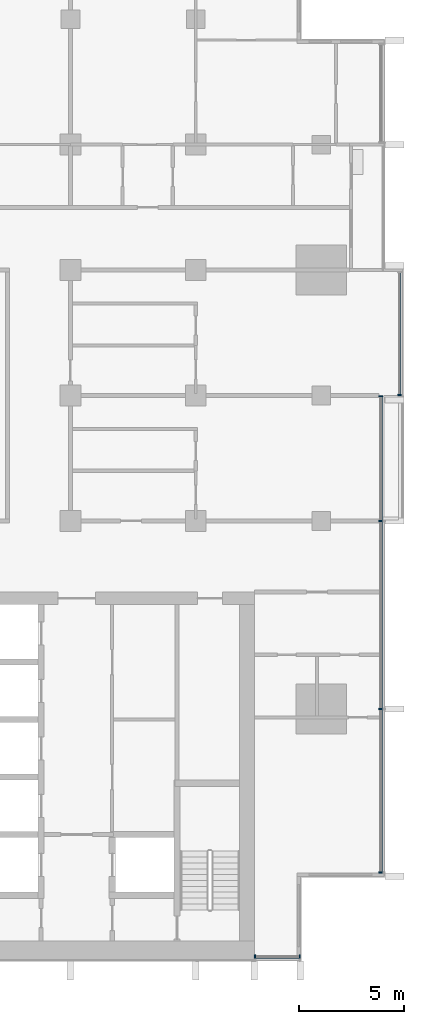
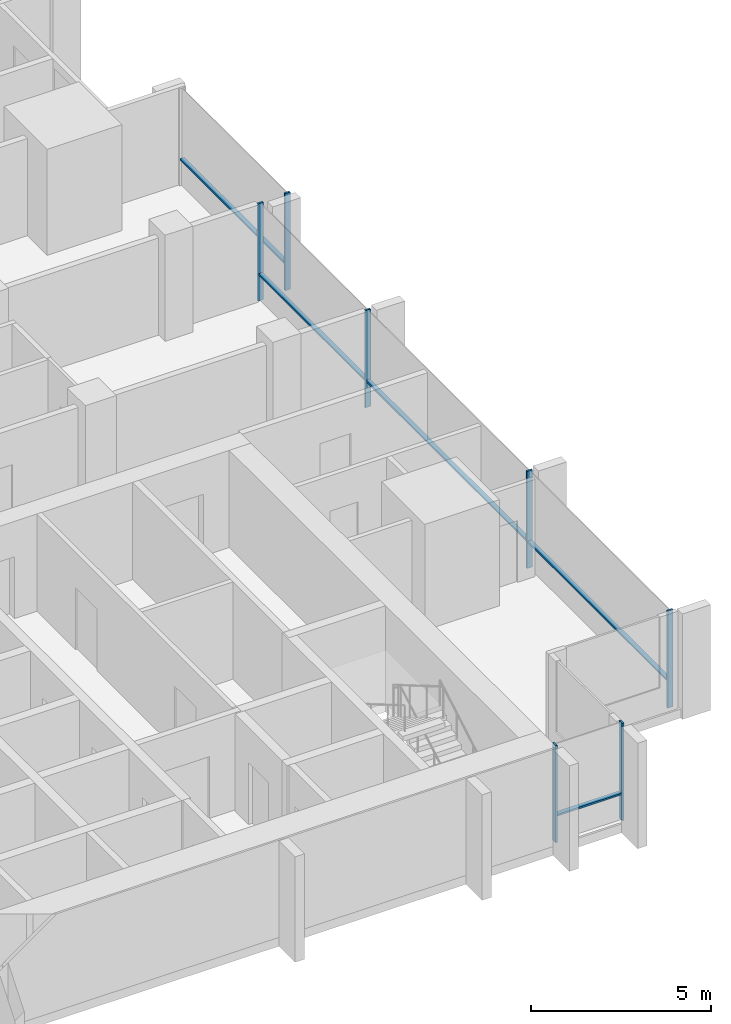
# One storey, part 3 of 16: 12 members, 3 elements without a shape of their own.
"""IFC4 building model written with IfcOpenShell, lengths in metres."""

from ifc_helpers import new_model, si_unit, direction, frame, origin, origin_2d, place, context, subcontext, project, spatial, rectangle, extrude, material, material_profile, profile_set, type_object, element, aggregate, save


model = new_model("IFC4")

# Units and contexts
model_context = context("Model", 3, precision=1e-05, world=origin(), true_north=direction((0.0, 1.0)))
body_context = subcontext(model_context, "Body", "Model", "MODEL_VIEW")
ifc_project = project(units=[si_unit("LENGTHUNIT", "METRE"), si_unit("AREAUNIT", "SQUARE_METRE"), si_unit("VOLUMEUNIT", "CUBIC_METRE"), si_unit("PLANEANGLEUNIT", "RADIAN"), si_unit("MASSUNIT", "GRAM", prefix="KILO")], contexts=[model_context])

# Site, building, storey
site_placement = place(None, origin())
site = spatial("IfcSite", under=ifc_project, at=site_placement, CompositionType="ELEMENT")
building_placement = place(site_placement, origin())
building = spatial("IfcBuilding", under=site, at=building_placement, Name="Finial Court Residences", CompositionType="ELEMENT")
storey_placement = place(building_placement, frame((0.0, 0.0, 160.10009765625)))
storey = spatial("IfcBuildingStorey", under=building, at=storey_placement, Name="L39", CompositionType="ELEMENT", Elevation=160.10009765625)

# Curtain wall, members
ifc_material = material(Name="Bronze anodised aluminium", Category="aluminium")
curtain_wall_type = type_object("IfcCurtainWallType", Name="Unitised curtain wall, upper zones", PredefinedType="NOTDEFINED", material=ifc_material)
curtain_wall_1_placement = place(storey_placement, origin())
curtain_wall_1 = element("IfcCurtainWall", 1, at=curtain_wall_1_placement, inside=storey, type_object=curtain_wall_type, Name="E-L39-CW-E4", PredefinedType="NOTDEFINED")
ifc_material_profile_1 = material_profile(ifc_material, rectangle(XDim=0.175048828125, YDim=0.06005859375, at=origin_2d()), Name="CW2 mullion 60 x 175")
ifc_profile_set_1 = profile_set([ifc_material_profile_1], Name="Bronze anodised aluminium")
member_type_1 = type_object("IfcMemberType", Name="CW2 mullion 60 x 175", PredefinedType="MULLION", material=ifc_profile_set_1)
member_1_placement = place(storey_placement, frame((19.35009765625, -21.320068359375, 0.0), z_axis=(0.0, 0.0, 1.0), x_axis=(-1.0, 0.0, 0.0)))
member_1 = element("IfcMember", 2, at=member_1_placement, type_object=member_type_1, Name="CW2 mullion 1", PredefinedType="MULLION", context=body_context, shape_type="SweptSolid", body=[
    extrude(rectangle(XDim=0.175048828125, YDim=0.06005859375, at=origin_2d()), origin(), (0.0, 0.0, 1.0), 3.2998046875),
])
member_2_placement = place(storey_placement, frame((19.35009765625, -13.5, 0.0), z_axis=(0.0, 0.0, 1.0), x_axis=(-1.0, 0.0, 0.0)))
member_2 = element("IfcMember", 3, at=member_2_placement, type_object=member_type_1, Name="CW2 mullion 2", PredefinedType="MULLION", context=body_context, shape_type="SweptSolid", body=[
    extrude(rectangle(XDim=0.175048828125, YDim=0.06005859375, at=origin_2d()), origin(), (0.0, 0.0, 1.0), 3.2998046875),
])
member_3_placement = place(storey_placement, frame((19.35009765625, -4.5, 0.0), z_axis=(0.0, 0.0, 1.0), x_axis=(-1.0, 0.0, 0.0)))
member_3 = element("IfcMember", 4, at=member_3_placement, type_object=member_type_1, Name="CW2 mullion 3", PredefinedType="MULLION", context=body_context, shape_type="SweptSolid", body=[
    extrude(rectangle(XDim=0.175048828125, YDim=0.06005859375, at=origin_2d()), origin(), (0.0, 0.0, 1.0), 3.2998046875),
])
member_4_placement = place(storey_placement, frame((19.35009765625, 1.469970703125, 0.0), z_axis=(0.0, 0.0, 1.0), x_axis=(-1.0, 0.0, 0.0)))
member_4 = element("IfcMember", 5, at=member_4_placement, type_object=member_type_1, Name="CW2 mullion 4", PredefinedType="MULLION", context=body_context, shape_type="SweptSolid", body=[
    extrude(rectangle(XDim=0.175048828125, YDim=0.06005859375, at=origin_2d()), origin(), (0.0, 0.0, 1.0), 3.2998046875),
])

# Curtain wall, member
curtain_wall_2_placement = place(storey_placement, origin())
curtain_wall_2 = element("IfcCurtainWall", 6, at=curtain_wall_2_placement, inside=storey, type_object=curtain_wall_type, Name="E-L39-CW-E5", PredefinedType="NOTDEFINED")
member_5_placement = place(storey_placement, frame((20.25, 1.530029296875, 0.0), z_axis=(0.0, 0.0, 1.0), x_axis=(-1.0, 0.0, 0.0)))
member_5 = element("IfcMember", 7, at=member_5_placement, type_object=member_type_1, Name="CW2 mullion 1", PredefinedType="MULLION", context=body_context, shape_type="SweptSolid", body=[
    extrude(rectangle(XDim=0.175048828125, YDim=0.06005859375, at=origin_2d()), origin(), (0.0, 0.0, 1.0), 3.2998046875),
])

# Curtain wall, members
curtain_wall_3_placement = place(storey_placement, origin())
curtain_wall_3 = element("IfcCurtainWall", 8, at=curtain_wall_3_placement, inside=storey, type_object=curtain_wall_type, Name="E-L39-CW-S8", PredefinedType="NOTDEFINED")
member_6_placement = place(storey_placement, frame((13.330078125, -25.35009765625, 0.0), z_axis=(0.0, 0.0, 1.0), x_axis=(0.0, 1.0, 0.0)))
member_6 = element("IfcMember", 9, at=member_6_placement, type_object=member_type_1, Name="CW2 mullion 1", PredefinedType="MULLION", context=body_context, shape_type="SweptSolid", body=[
    extrude(rectangle(XDim=0.175048828125, YDim=0.06005859375, at=origin_2d()), origin(), (0.0, 0.0, 1.0), 3.2998046875),
])
member_7_placement = place(storey_placement, frame((15.469970703125, -25.35009765625, 0.0), z_axis=(0.0, 0.0, 1.0), x_axis=(0.0, 1.0, 0.0)))
member_7 = element("IfcMember", 10, at=member_7_placement, type_object=member_type_1, Name="CW2 mullion 2", PredefinedType="MULLION", context=body_context, shape_type="SweptSolid", body=[
    extrude(rectangle(XDim=0.175048828125, YDim=0.06005859375, at=origin_2d()), origin(), (0.0, 0.0, 1.0), 3.2998046875),
])

# Member
ifc_material_profile_2 = material_profile(ifc_material, rectangle(XDim=0.139892578125, YDim=0.06005859375, at=origin_2d()), Name="CW2 transom 60 x 140")
ifc_profile_set_2 = profile_set([ifc_material_profile_2], Name="Bronze anodised aluminium")
member_type_2 = type_object("IfcMemberType", Name="CW2 transom 60 x 140", PredefinedType="USERDEFINED", material=ifc_profile_set_2)
member_8_placement = place(storey_placement, frame((19.35009765625, -21.2900390625, 0.89990234375), z_axis=(0.0, 1.0, 0.0), x_axis=(-1.0, 0.0, 0.0)))
member_8 = element("IfcMember", 11, at=member_8_placement, type_object=member_type_2, Name="CW2 transom 1.1", ObjectType="TRANSOM", PredefinedType="USERDEFINED", context=body_context, shape_type="SweptSolid", body=[
    extrude(rectangle(XDim=0.139892578125, YDim=0.06005859375, at=origin_2d()), origin(), (0.0, 0.0, 1.0), 7.760009765625),
])

member_9_placement = place(storey_placement, frame((19.35009765625, -13.469970703125, 0.89990234375), z_axis=(0.0, 1.0, 0.0), x_axis=(-1.0, 0.0, 0.0)))
member_9 = element("IfcMember", 12, at=member_9_placement, type_object=member_type_2, Name="CW2 transom 2.1", ObjectType="TRANSOM", PredefinedType="USERDEFINED", context=body_context, shape_type="SweptSolid", body=[
    extrude(rectangle(XDim=0.139892578125, YDim=0.06005859375, at=origin_2d()), origin(), (0.0, 0.0, 1.0), 8.93994140625),
])

member_10_placement = place(storey_placement, frame((19.35009765625, -4.469970703125, 0.89990234375), z_axis=(0.0, 1.0, 0.0), x_axis=(-1.0, 0.0, 0.0)))
member_10 = element("IfcMember", 13, at=member_10_placement, type_object=member_type_2, Name="CW2 transom 3.1", ObjectType="TRANSOM", PredefinedType="USERDEFINED", context=body_context, shape_type="SweptSolid", body=[
    extrude(rectangle(XDim=0.139892578125, YDim=0.06005859375, at=origin_2d()), origin(), (0.0, 0.0, 1.0), 5.909912109375),
])

aggregate(curtain_wall_1, [member_1, member_2, member_3, member_4, member_8, member_9, member_10])

member_11_placement = place(storey_placement, frame((20.25, 1.56005859375, 0.89990234375), z_axis=(0.0, 1.0, 0.0), x_axis=(-1.0, 0.0, 0.0)))
member_11 = element("IfcMember", 14, at=member_11_placement, type_object=member_type_2, Name="CW2 transom 1.1", ObjectType="TRANSOM", PredefinedType="USERDEFINED", context=body_context, shape_type="SweptSolid", body=[
    extrude(rectangle(XDim=0.139892578125, YDim=0.06005859375, at=origin_2d()), origin(), (0.0, 0.0, 1.0), 5.804931640625),
])

aggregate(curtain_wall_2, [member_5, member_11])

member_12_placement = place(storey_placement, frame((13.360107421875, -25.35009765625, 0.89990234375), z_axis=(1.0, 0.0, 0.0), x_axis=(0.0, 1.0, 0.0)))
member_12 = element("IfcMember", 15, at=member_12_placement, type_object=member_type_2, Name="CW2 transom 1.1", ObjectType="TRANSOM", PredefinedType="USERDEFINED", context=body_context, shape_type="SweptSolid", body=[
    extrude(rectangle(XDim=0.139892578125, YDim=0.06005859375, at=origin_2d()), origin(), (0.0, 0.0, 1.0), 2.079833984375),
])

aggregate(curtain_wall_3, [member_6, member_7, member_12])

save(model, "model.ifc")
